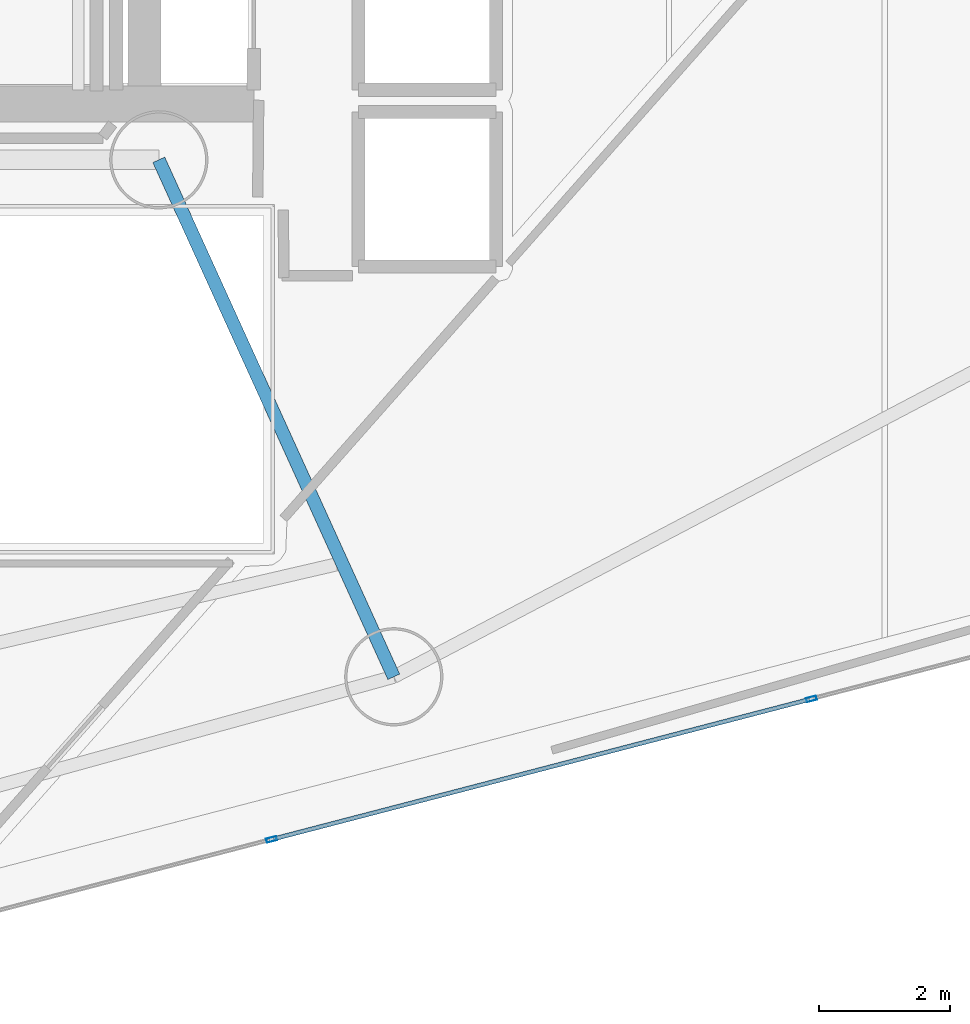
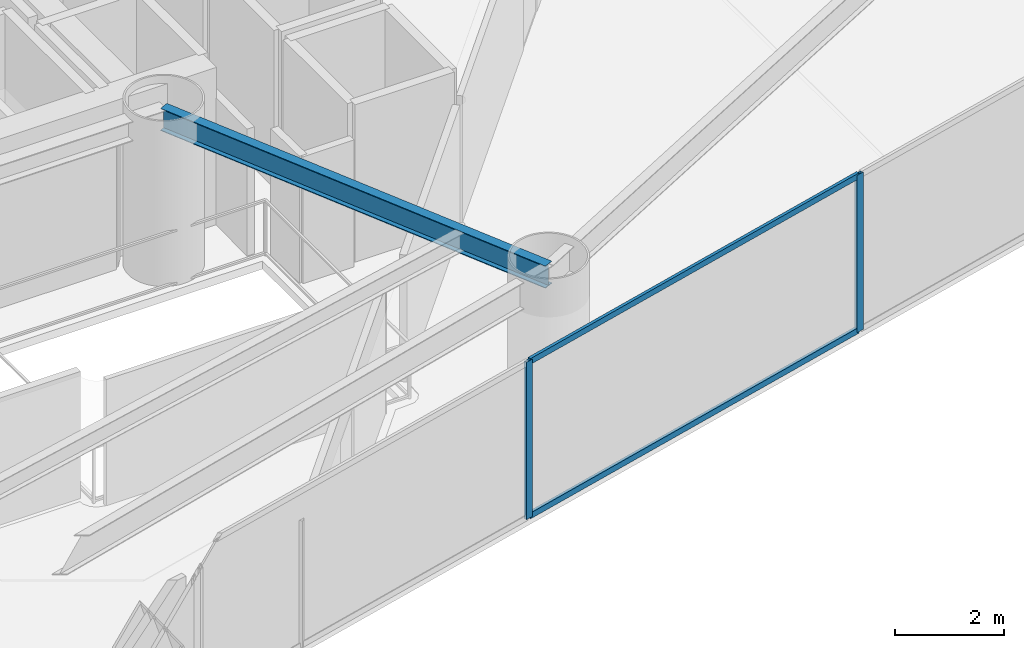
# One storey, part 6 of 21: 4 members, 1 beam, 1 element without a shape of its own.
"""IFC4 building model written with IfcOpenShell, lengths in metres."""

from ifc_helpers import new_model, si_unit, direction, frame, origin, origin_2d, place, context, subcontext, project, spatial, hollow_rectangle, i_section, extrude, material, layer, layer_set, material_profile, profile_set, type_object, element, aggregate, save


model = new_model("IFC4")

# Units and contexts
model_context = context("Model", 3, precision=1e-05, world=origin(), true_north=direction((0.0, 1.0)))
body_context = subcontext(model_context, "Body", "Model", "MODEL_VIEW")
ifc_project = project(units=[si_unit("LENGTHUNIT", "METRE"), si_unit("AREAUNIT", "SQUARE_METRE"), si_unit("VOLUMEUNIT", "CUBIC_METRE"), si_unit("PLANEANGLEUNIT", "RADIAN"), si_unit("MASSUNIT", "GRAM", prefix="KILO")], contexts=[model_context])

# Site, building, storey
site_placement = place(None, origin())
site = spatial("IfcSite", under=ifc_project, at=site_placement, CompositionType="ELEMENT")
building_placement = place(site_placement, origin())
building = spatial("IfcBuilding", under=site, at=building_placement, Name="Qianvela Tower", CompositionType="ELEMENT")
storey_placement = place(building_placement, frame((0.0, 0.0, 108.89990234375)))
storey = spatial("IfcBuildingStorey", under=building, at=storey_placement, Name="L27", CompositionType="ELEMENT", Elevation=108.89990234375)

# Beam
ifc_material_1 = material(Name="Steel Q355B", Category="steel")
ifc_material_profile_1 = material_profile(ifc_material_1, i_section(OverallWidth=0.199951171875, OverallDepth=0.5, WebThickness=0.010009765625, FlangeThickness=0.01611328125, at=origin_2d()), Name="HN500x200x10x16")
ifc_profile_set_1 = profile_set([ifc_material_profile_1], Name="Steel Q355B")
beam_type = type_object("IfcBeamType", Name="BM-HN500-GIRD", PredefinedType="BEAM", material=ifc_profile_set_1)
beam_placement = place(storey_placement, frame((38.39990234375, 23.85009765625, 3.26806640625), z_axis=(0.413839009437, -0.910350083357, 0.0), x_axis=(0.910350083357, 0.413839009437, 0.0)))
element("IfcBeam", 1, at=beam_placement, inside=storey, type_object=beam_type, Name="L27 Radial Primary Floor Girder 6", PredefinedType="BEAM", context=body_context, shape_type="SweptSolid", body=[
    extrude(i_section(OverallWidth=0.199951171875, OverallDepth=0.5, WebThickness=0.010009765625, FlangeThickness=0.01611328125, at=origin_2d()), origin(), (0.0, 0.0, 1.0), 8.67041015625),
])

# Curtain wall, members
ifc_material_2 = material(Name="Anodised Architectural Aluminium and Low-E Glass", Category="aluminium")
ifc_layer = layer(ifc_material_2, 0.169921875)
ifc_layer_set = layer_set([ifc_layer], Name="Anodised Architectural Aluminium and Low-E Glass")
curtain_wall_type = type_object("IfcCurtainWallType", Name="CW-COLIV-Z34", PredefinedType="USERDEFINED", material=ifc_layer_set)
curtain_wall_placement = place(storey_placement, origin())
curtain_wall = element("IfcCurtainWall", 2, at=curtain_wall_placement, inside=storey, type_object=curtain_wall_type, Name="L27 CW-COLIV-Z34 Curtain Wall 06B", ObjectType="CURTAIN_WALL_SYSTEM", PredefinedType="USERDEFINED")
ifc_material_3 = material(Name="Anodised Architectural Aluminium 6063-T6", Category="aluminium")
ifc_material_profile_2 = material_profile(ifc_material_3, hollow_rectangle(XDim=0.06494140625, YDim=0.159912109375, WallThickness=0.0048828125, at=origin_2d()), Name="ALU-MULL-65x160")
ifc_profile_set_2 = profile_set([ifc_material_profile_2], Name="Anodised Architectural Aluminium 6063-T6")
member_type_1 = type_object("IfcMemberType", Name="CW-COLIV-Z34-MULL", PredefinedType="MULLION", material=ifc_profile_set_2)
member_1_placement = place(storey_placement, frame((40.12158203125, 13.472900390625, 0.0), z_axis=(0.0, 0.0, 1.0), x_axis=(-0.251949218028, 0.9677404567, 0.0)))
member_1 = element("IfcMember", 3, at=member_1_placement, type_object=member_type_1, Name="CW-4 mullion 2", PredefinedType="MULLION", context=body_context, shape_type="SweptSolid", body=[
    extrude(hollow_rectangle(XDim=0.06494140625, YDim=0.159912109375, WallThickness=0.0048828125, at=origin_2d()), origin(), (0.0, 0.0, 1.0), 3.52001953125),
])
member_2_placement = place(storey_placement, frame((48.36474609375, 15.619140625, 0.0), z_axis=(0.0, 0.0, 1.0), x_axis=(-0.251949218028, 0.9677404567, 0.0)))
member_2 = element("IfcMember", 4, at=member_2_placement, type_object=member_type_1, Name="CW-4 mullion 3", PredefinedType="MULLION", context=body_context, shape_type="SweptSolid", body=[
    extrude(hollow_rectangle(XDim=0.06494140625, YDim=0.159912109375, WallThickness=0.0048828125, at=origin_2d()), origin(), (0.0, 0.0, 1.0), 3.52001953125),
])
ifc_material_4 = material(Name="Anodised Architectural Aluminium 6063-T6", Category="aluminium")
ifc_material_profile_3 = material_profile(ifc_material_4, hollow_rectangle(XDim=0.06494140625, YDim=0.1298828125, WallThickness=0.00439453125, at=origin_2d()), Name="ALU-TRAN-65x130")
ifc_profile_set_3 = profile_set([ifc_material_profile_3], Name="Anodised Architectural Aluminium 6063-T6")
member_type_2 = type_object("IfcMemberType", Name="CW-COLIV-Z34-TRAN", PredefinedType="USERDEFINED", material=ifc_profile_set_3)
member_3_placement = place(storey_placement, frame((40.153076171875, 13.481201171875, 0.03271484375), z_axis=(0.96774198845, 0.251943334485, 0.0), x_axis=(-0.251943334485, 0.96774198845, 0.0)))
member_3 = element("IfcMember", 5, at=member_3_placement, type_object=member_type_2, Name="CW-4 transom 2.1", ObjectType="TRANSOM", PredefinedType="USERDEFINED", context=body_context, shape_type="SweptSolid", body=[
    extrude(hollow_rectangle(XDim=0.06494140625, YDim=0.1298828125, WallThickness=0.00439453125, at=origin_2d()), origin(), (0.0, 0.0, 1.0), 8.452880859375),
])
member_4_placement = place(storey_placement, frame((40.153076171875, 13.481201171875, 3.487548828125), z_axis=(0.96774198845, 0.251943334485, 0.0), x_axis=(-0.251943334485, 0.96774198845, 0.0)))
member_4 = element("IfcMember", 6, at=member_4_placement, type_object=member_type_2, Name="CW-4 transom 2.2", ObjectType="TRANSOM", PredefinedType="USERDEFINED", context=body_context, shape_type="SweptSolid", body=[
    extrude(hollow_rectangle(XDim=0.06494140625, YDim=0.1298828125, WallThickness=0.00439453125, at=origin_2d()), origin(), (0.0, 0.0, 1.0), 8.452880859375),
])
aggregate(curtain_wall, [member_1, member_2, member_3, member_4])

save(model, "model.ifc")
